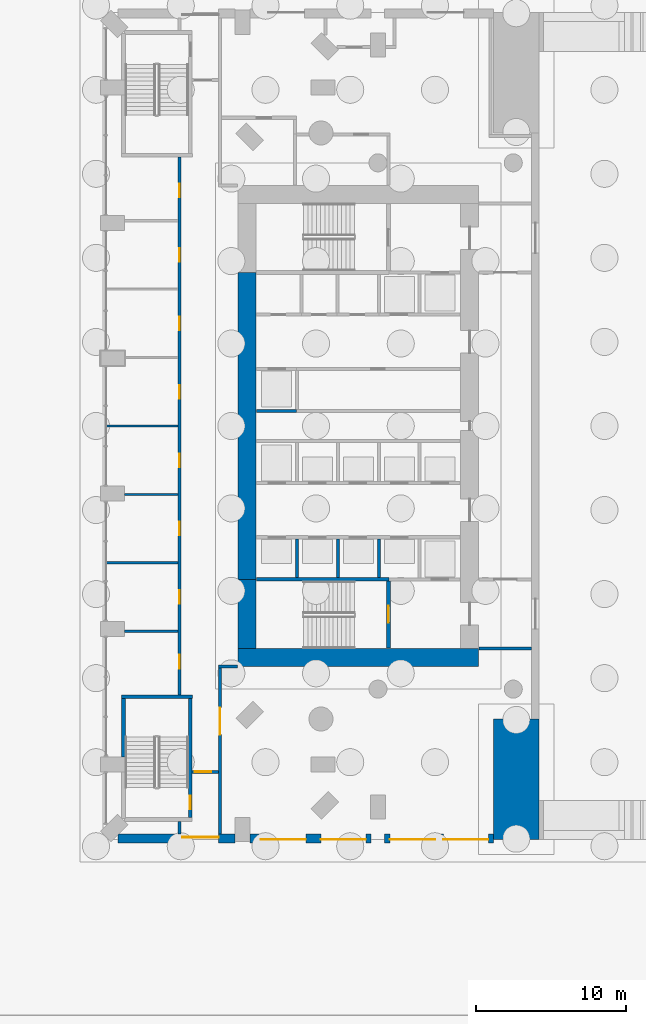
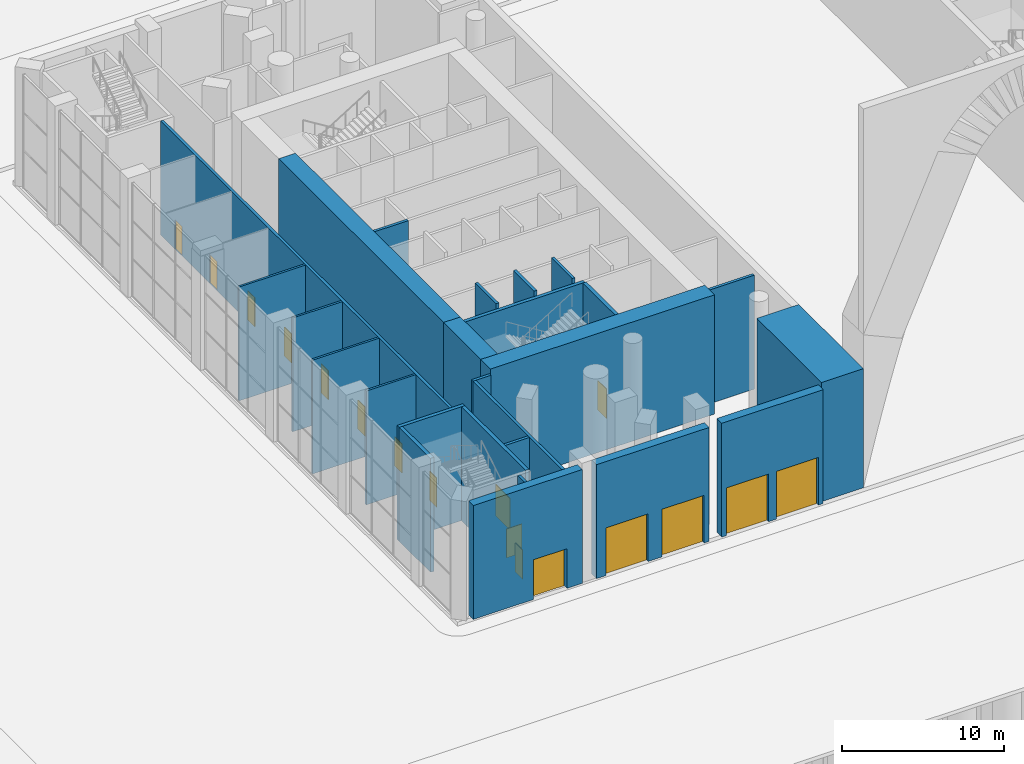
# One storey, part 9 of 25: 26 walls, 17 doors, 17 openings.
"""IFC4 building model written with IfcOpenShell, lengths in metres."""

from ifc_helpers import new_model, si_unit, direction, frame, frame_2d, origin, place, context, subcontext, project, spatial, rectangle, extrude, material, layer, layer_set, type_object, element, fill, save


model = new_model("IFC4")

# Units and contexts
model_context = context("Model", 3, precision=1e-05, world=origin(), true_north=direction((0.0, 1.0)))
body_context = subcontext(model_context, "Body", "Model", "MODEL_VIEW")
ifc_project = project(units=[si_unit("LENGTHUNIT", "METRE"), si_unit("AREAUNIT", "SQUARE_METRE"), si_unit("VOLUMEUNIT", "CUBIC_METRE"), si_unit("PLANEANGLEUNIT", "RADIAN"), si_unit("MASSUNIT", "GRAM", prefix="KILO")], contexts=[model_context])

# Site, building, storey
site_placement = place(None, origin())
site = spatial("IfcSite", under=ifc_project, at=site_placement, CompositionType="ELEMENT")
building_placement = place(site_placement, origin())
building = spatial("IfcBuilding", under=site, at=building_placement, Name="Cypress Arch Tower", CompositionType="ELEMENT")
storey_placement = place(building_placement, origin())
storey = spatial("IfcBuildingStorey", under=building, at=storey_placement, Name="L00", CompositionType="ELEMENT", Elevation=0.0)

# Wall, opening, door
ifc_material_1 = material(Name="Brick (red buff blend) on blockwork backing", Category="masonry")
ifc_layer_1 = layer(ifc_material_1, 0.60009765625)
ifc_layer_set_1 = layer_set([ifc_layer_1], Name="Brick base wall BW600")
wall_type_1 = type_object("IfcWallType", Name="Brick base wall BW600", PredefinedType="ELEMENTEDWALL", material=ifc_layer_set_1)
wall_1_placement = place(storey_placement, frame((-30.199951171875, -27.425048828125, 0.0), z_axis=(0.0, 0.0, 1.0), x_axis=(-1.0, 0.0, 0.0)))
wall_1 = element("IfcWall", 1, at=wall_1_placement, inside=storey, type_object=wall_type_1, Name="Brick wall L00 P00.0", PredefinedType="ELEMENTEDWALL", context=body_context, shape_type="SweptSolid", body=[
    extrude(rectangle(XDim=7.79296875, YDim=0.60009765625, at=frame_2d((3.896484375, 0.0))), origin(), (0.0, 0.0, 1.0), 8.60009765625),
])
opening_1_placement = place(wall_1_placement, frame((1.10009765625, 0.0, 0.0)))
opening_1 = element("IfcOpeningElement", 2, at=opening_1_placement, cuts=wall_1, Name="Opening DE2400", PredefinedType="OPENING", context=body_context, shape_type="SweptSolid", body=[
    extrude(rectangle(XDim=2.39990234375, YDim=3.0, at=frame_2d((1.199951171875, 1.5))), frame((0.0, 0.31005859375, 0.0), z_axis=(0.0, -1.0, 0.0), x_axis=(1.0, 0.0, 0.0)), (0.0, 0.0, 1.0), 0.6201171875),
])
ifc_material_2 = material(Name="Anodised aluminium, bronze finish, clear low-emissivity double glazing", Category="aluminium")
door_type_1 = type_object("IfcDoorType", Name="Entrance door double 2400x3000", OperationType="DOUBLE_DOOR_SINGLE_SWING", PredefinedType="DOOR", material=ifc_material_2)
door_1_placement = place(opening_1_placement, origin())
door_1 = element("IfcDoor", 3, at=door_1_placement, inside=storey, type_object=door_type_1, Name="Exterior door L00 P00.0.1", OperationType="DOUBLE_DOOR_SINGLE_SWING", OverallHeight=3.0, OverallWidth=2.39990234375, PredefinedType="DOOR", context=body_context, shape_type="SweptSolid", body=[
    extrude(rectangle(XDim=2.39990234375, YDim=3.0, at=frame_2d((1.199951171875, 1.5))), frame((0.0, -0.0498046875, 0.0), z_axis=(0.0, -1.0, 0.0), x_axis=(1.0, 0.0, 0.0)), (0.0, 0.0, 1.0), 0.050048828125),
])
fill(opening_1, door_1)

# Wall, openings, doors
wall_2_placement = place(storey_placement, frame((-29.199951171875, -27.425048828125, 0.0), z_axis=(0.0, 0.0, 1.0), x_axis=(1.0, 0.0, 0.0)))
wall_2 = element("IfcWall", 4, at=wall_2_placement, inside=storey, type_object=wall_type_1, Name="Brick wall L00 P00.1", PredefinedType="ELEMENTEDWALL", context=body_context, shape_type="SweptSolid", body=[
    extrude(rectangle(XDim=8.050048828125, YDim=0.60009765625, at=frame_2d((4.02490234375, 0.0))), origin(), (0.0, 0.0, 1.0), 8.60009765625),
])
opening_2_placement = place(wall_2_placement, frame((0.699951171875, 0.0, 0.0)))
opening_2 = element("IfcOpeningElement", 5, at=opening_2_placement, cuts=wall_2, Name="Opening DL3000", PredefinedType="OPENING", context=body_context, shape_type="SweptSolid", body=[
    extrude(rectangle(XDim=3.0, YDim=3.60009765625, at=frame_2d((1.5, 1.800048828125))), frame((0.0, 0.31005859375, 0.0), z_axis=(0.0, -1.0, 0.0), x_axis=(1.0, 0.0, 0.0)), (0.0, 0.0, 1.0), 0.6201171875),
])
opening_3_placement = place(wall_2_placement, frame((4.699951171875, 0.0, 0.0)))
opening_3 = element("IfcOpeningElement", 6, at=opening_3_placement, cuts=wall_2, Name="Opening DL3000", PredefinedType="OPENING", context=body_context, shape_type="SweptSolid", body=[
    extrude(rectangle(XDim=3.0, YDim=3.60009765625, at=frame_2d((1.5, 1.800048828125))), frame((0.0, 0.31005859375, 0.0), z_axis=(0.0, -1.0, 0.0), x_axis=(1.0, 0.0, 0.0)), (0.0, 0.0, 1.0), 0.6201171875),
])
ifc_material_3 = material(Name="Insulated steel sectional door, powder coated", Category="steel")
door_type_2 = type_object("IfcDoorType", Name="Loading dock door sectional 3000x3600", OperationType="ROLLINGUP", PredefinedType="DOOR", material=ifc_material_3)
door_2_placement = place(opening_2_placement, origin())
door_2 = element("IfcDoor", 7, at=door_2_placement, inside=storey, type_object=door_type_2, Name="Exterior door L00 P00.1.1", OperationType="ROLLINGUP", OverallHeight=3.60009765625, OverallWidth=3.0, PredefinedType="DOOR", context=body_context, shape_type="SweptSolid", body=[
    extrude(rectangle(XDim=3.0, YDim=3.60009765625, at=frame_2d((1.5, 1.800048828125))), frame((0.0, -0.0498046875, 0.0), z_axis=(0.0, -1.0, 0.0), x_axis=(1.0, 0.0, 0.0)), (0.0, 0.0, 1.0), 0.050048828125),
])
fill(opening_2, door_2)
door_3_placement = place(opening_3_placement, origin())
door_3 = element("IfcDoor", 8, at=door_3_placement, inside=storey, type_object=door_type_2, Name="Exterior door L00 P00.1.2", OperationType="ROLLINGUP", OverallHeight=3.60009765625, OverallWidth=3.0, PredefinedType="DOOR", context=body_context, shape_type="SweptSolid", body=[
    extrude(rectangle(XDim=3.0, YDim=3.60009765625, at=frame_2d((1.5, 1.800048828125))), frame((0.0, -0.0498046875, 0.0), z_axis=(0.0, -1.0, 0.0), x_axis=(1.0, 0.0, 0.0)), (0.0, 0.0, 1.0), 0.050048828125),
])
fill(opening_3, door_3)

wall_3_placement = place(storey_placement, frame((-20.25, -27.425048828125, 0.0), z_axis=(0.0, 0.0, 1.0), x_axis=(1.0, 0.0, 0.0)))
wall_3 = element("IfcWall", 9, at=wall_3_placement, inside=storey, type_object=wall_type_1, Name="Brick wall L00 P00.2", PredefinedType="ELEMENTEDWALL", context=body_context, shape_type="SweptSolid", body=[
    extrude(rectangle(XDim=7.25, YDim=0.60009765625, at=frame_2d((3.625, 0.0))), origin(), (0.0, 0.0, 1.0), 8.60009765625),
])
opening_4_placement = place(wall_3_placement, frame((0.35009765625, 0.0, 0.0)))
opening_4 = element("IfcOpeningElement", 10, at=opening_4_placement, cuts=wall_3, Name="Opening DL3000", PredefinedType="OPENING", context=body_context, shape_type="SweptSolid", body=[
    extrude(rectangle(XDim=3.0, YDim=3.60009765625, at=frame_2d((1.5, 1.800048828125))), frame((0.0, 0.31005859375, 0.0), z_axis=(0.0, -1.0, 0.0), x_axis=(1.0, 0.0, 0.0)), (0.0, 0.0, 1.0), 0.6201171875),
])
opening_5_placement = place(wall_3_placement, frame((3.89990234375, 0.0, 0.0)))
opening_5 = element("IfcOpeningElement", 11, at=opening_5_placement, cuts=wall_3, Name="Opening DL3000", PredefinedType="OPENING", context=body_context, shape_type="SweptSolid", body=[
    extrude(rectangle(XDim=3.0, YDim=3.60009765625, at=frame_2d((1.5, 1.800048828125))), frame((0.0, 0.31005859375, 0.0), z_axis=(0.0, -1.0, 0.0), x_axis=(1.0, 0.0, 0.0)), (0.0, 0.0, 1.0), 0.6201171875),
])
door_4_placement = place(opening_4_placement, origin())
door_4 = element("IfcDoor", 12, at=door_4_placement, inside=storey, type_object=door_type_2, Name="Exterior door L00 P00.2.1", OperationType="ROLLINGUP", OverallHeight=3.60009765625, OverallWidth=3.0, PredefinedType="DOOR", context=body_context, shape_type="SweptSolid", body=[
    extrude(rectangle(XDim=3.0, YDim=3.60009765625, at=frame_2d((1.5, 1.800048828125))), frame((0.0, -0.0498046875, 0.0), z_axis=(0.0, -1.0, 0.0), x_axis=(1.0, 0.0, 0.0)), (0.0, 0.0, 1.0), 0.050048828125),
])
fill(opening_4, door_4)
door_5_placement = place(opening_5_placement, origin())
door_5 = element("IfcDoor", 13, at=door_5_placement, inside=storey, type_object=door_type_2, Name="Exterior door L00 P00.2.2", OperationType="ROLLINGUP", OverallHeight=3.60009765625, OverallWidth=3.0, PredefinedType="DOOR", context=body_context, shape_type="SweptSolid", body=[
    extrude(rectangle(XDim=3.0, YDim=3.60009765625, at=frame_2d((1.5, 1.800048828125))), frame((0.0, -0.0498046875, 0.0), z_axis=(0.0, -1.0, 0.0), x_axis=(1.0, 0.0, 0.0)), (0.0, 0.0, 1.0), 0.050048828125),
])
fill(opening_5, door_5)

# Walls
ifc_material_4 = material(Name="Concrete C80/95", Category="concrete")
ifc_layer_2 = layer(ifc_material_4, 1.199951171875)
ifc_layer_set_2 = layer_set([ifc_layer_2], Name="Core wall CW1200 C80/95")
wall_type_2 = type_object("IfcWallType", Name="Core wall CW1200 C80/95", PredefinedType="SHEAR", material=ifc_layer_set_2)
wall_4_placement = place(storey_placement, frame((-30.0, -15.39990234375, 0.0), z_axis=(0.0, 0.0, 1.0), x_axis=(1.0, 0.0, 0.0)))
element("IfcWall", 14, at=wall_4_placement, inside=storey, type_object=wall_type_2, Name="Core wall", PredefinedType="SHEAR", context=body_context, shape_type="SweptSolid", body=[
    extrude(rectangle(XDim=16.0, YDim=1.199951171875, at=frame_2d((8.0, 0.0))), origin(), (0.0, 0.0, 1.0), 9.0),
])
wall_5_placement = place(storey_placement, frame((-29.39990234375, -10.199951171875, 0.0), z_axis=(0.0, 0.0, 1.0), x_axis=(0.0, 1.0, 0.0)))
element("IfcWall", 15, at=wall_5_placement, inside=storey, type_object=wall_type_2, Name="Core wall", PredefinedType="SHEAR", context=body_context, shape_type="SweptSolid", body=[
    extrude(rectangle(XDim=20.39990234375, YDim=1.199951171875, at=frame_2d((10.199951171875, 0.0))), origin(), (0.0, 0.0, 1.0), 9.0),
])
wall_6_placement = place(storey_placement, frame((-29.39990234375, -14.800048828125, 0.0), z_axis=(0.0, 0.0, 1.0), x_axis=(0.0, 1.0, 0.0)))
element("IfcWall", 16, at=wall_6_placement, inside=storey, type_object=wall_type_2, Name="Core wall", PredefinedType="SHEAR", context=body_context, shape_type="SweptSolid", body=[
    extrude(rectangle(XDim=4.60009765625, YDim=1.199951171875, at=frame_2d((2.300048828125, 0.0))), origin(), (0.0, 0.0, 1.0), 9.0),
])
ifc_material_5 = material(Name="Concrete blockwork, plastered, rated", Category="masonry")
ifc_layer_3 = layer(ifc_material_5, 0.199951171875)
ifc_layer_set_3 = layer_set([ifc_layer_3], Name="Corridor wall FW200")
wall_type_3 = type_object("IfcWallType", Name="Corridor wall FW200", PredefinedType="PARTITIONING", material=ifc_layer_set_3)
wall_7_placement = place(storey_placement, frame((-33.89990234375, -27.125, 0.0), z_axis=(0.0, 0.0, 1.0), x_axis=(0.0, 1.0, 0.0)))
element("IfcWall", 17, at=wall_7_placement, inside=storey, type_object=wall_type_3, Name="Corridor wall", PredefinedType="PARTITIONING", context=body_context, shape_type="SweptSolid", body=[
    extrude(rectangle(XDim=0.824951171875, YDim=0.199951171875, at=frame_2d((0.41259765625, 0.0))), origin(), (0.0, 0.0, 1.0), 8.597900390625),
])

# Wall, openings, doors
wall_8_placement = place(storey_placement, frame((-33.89990234375, -17.8798828125, 0.0), z_axis=(0.0, 0.0, 1.0), x_axis=(0.0, 1.0, 0.0)))
wall_8 = element("IfcWall", 18, at=wall_8_placement, inside=storey, type_object=wall_type_3, Name="Corridor wall", PredefinedType="PARTITIONING", context=body_context, shape_type="SweptSolid", body=[
    extrude(rectangle(XDim=35.759765625, YDim=0.199951171875, at=frame_2d((17.8798828125, 0.0))), origin(), (0.0, 0.0, 1.0), 8.597900390625),
])
opening_6_placement = place(wall_8_placement, frame((1.75, 0.0, 0.0)))
opening_6 = element("IfcOpeningElement", 19, at=opening_6_placement, cuts=wall_8, Name="Opening D05", PredefinedType="OPENING", context=body_context, shape_type="SweptSolid", body=[
    extrude(rectangle(XDim=0.89990234375, YDim=2.199951171875, at=frame_2d((0.449951171875, 1.10009765625))), frame((0.0, 0.10986328125, 0.0), z_axis=(0.0, -1.0, 0.0), x_axis=(1.0, 0.0, 0.0)), (0.0, 0.0, 1.0), 0.219970703125),
])
opening_7_placement = place(wall_8_placement, frame((6.050048828125, 0.0, 0.0)))
opening_7 = element("IfcOpeningElement", 20, at=opening_7_placement, cuts=wall_8, Name="Opening D05", PredefinedType="OPENING", context=body_context, shape_type="SweptSolid", body=[
    extrude(rectangle(XDim=0.89990234375, YDim=2.199951171875, at=frame_2d((0.449951171875, 1.10009765625))), frame((0.0, 0.10986328125, 0.0), z_axis=(0.0, -1.0, 0.0), x_axis=(1.0, 0.0, 0.0)), (0.0, 0.0, 1.0), 0.219970703125),
])
opening_8_placement = place(wall_8_placement, frame((10.60009765625, 0.0, 0.0)))
opening_8 = element("IfcOpeningElement", 21, at=opening_8_placement, cuts=wall_8, Name="Opening D05", PredefinedType="OPENING", context=body_context, shape_type="SweptSolid", body=[
    extrude(rectangle(XDim=0.89990234375, YDim=2.199951171875, at=frame_2d((0.449951171875, 1.10009765625))), frame((0.0, 0.10986328125, 0.0), z_axis=(0.0, -1.0, 0.0), x_axis=(1.0, 0.0, 0.0)), (0.0, 0.0, 1.0), 0.219970703125),
])
opening_9_placement = place(wall_8_placement, frame((15.14990234375, 0.0, 0.0)))
opening_9 = element("IfcOpeningElement", 22, at=opening_9_placement, cuts=wall_8, Name="Opening D05", PredefinedType="OPENING", context=body_context, shape_type="SweptSolid", body=[
    extrude(rectangle(XDim=0.89990234375, YDim=2.199951171875, at=frame_2d((0.449951171875, 1.10009765625))), frame((0.0, 0.10986328125, 0.0), z_axis=(0.0, -1.0, 0.0), x_axis=(1.0, 0.0, 0.0)), (0.0, 0.0, 1.0), 0.219970703125),
])
opening_10_placement = place(wall_8_placement, frame((19.699951171875, 0.0, 0.0)))
opening_10 = element("IfcOpeningElement", 23, at=opening_10_placement, cuts=wall_8, Name="Opening D05", PredefinedType="OPENING", context=body_context, shape_type="SweptSolid", body=[
    extrude(rectangle(XDim=0.89990234375, YDim=2.199951171875, at=frame_2d((0.449951171875, 1.10009765625))), frame((0.0, 0.10986328125, 0.0), z_axis=(0.0, -1.0, 0.0), x_axis=(1.0, 0.0, 0.0)), (0.0, 0.0, 1.0), 0.219970703125),
])
opening_11_placement = place(wall_8_placement, frame((24.25, 0.0, 0.0)))
opening_11 = element("IfcOpeningElement", 24, at=opening_11_placement, cuts=wall_8, Name="Opening D05", PredefinedType="OPENING", context=body_context, shape_type="SweptSolid", body=[
    extrude(rectangle(XDim=0.89990234375, YDim=2.199951171875, at=frame_2d((0.449951171875, 1.10009765625))), frame((0.0, 0.10986328125, 0.0), z_axis=(0.0, -1.0, 0.0), x_axis=(1.0, 0.0, 0.0)), (0.0, 0.0, 1.0), 0.219970703125),
])
opening_12_placement = place(wall_8_placement, frame((28.800048828125, 0.0, 0.0)))
opening_12 = element("IfcOpeningElement", 25, at=opening_12_placement, cuts=wall_8, Name="Opening D05", PredefinedType="OPENING", context=body_context, shape_type="SweptSolid", body=[
    extrude(rectangle(XDim=0.89990234375, YDim=2.199951171875, at=frame_2d((0.449951171875, 1.10009765625))), frame((0.0, 0.10986328125, 0.0), z_axis=(0.0, -1.0, 0.0), x_axis=(1.0, 0.0, 0.0)), (0.0, 0.0, 1.0), 0.219970703125),
])
opening_13_placement = place(wall_8_placement, frame((33.10009765625, 0.0, 0.0)))
opening_13 = element("IfcOpeningElement", 26, at=opening_13_placement, cuts=wall_8, Name="Opening D05", PredefinedType="OPENING", context=body_context, shape_type="SweptSolid", body=[
    extrude(rectangle(XDim=0.89990234375, YDim=2.199951171875, at=frame_2d((0.449951171875, 1.10009765625))), frame((0.0, 0.10986328125, 0.0), z_axis=(0.0, -1.0, 0.0), x_axis=(1.0, 0.0, 0.0)), (0.0, 0.0, 1.0), 0.219970703125),
])
ifc_material_6 = material(Name="Timber flush door", Category="wood")
door_type_3 = type_object("IfcDoorType", Name="Service door D05 900x2200", OperationType="SINGLE_SWING_LEFT", PredefinedType="DOOR", material=ifc_material_6)
door_6_placement = place(opening_6_placement, origin())
door_6 = element("IfcDoor", 27, at=door_6_placement, inside=storey, type_object=door_type_3, Name="Service door", OperationType="SINGLE_SWING_RIGHT", OverallHeight=2.199951171875, OverallWidth=0.89990234375, PredefinedType="DOOR", context=body_context, shape_type="SweptSolid", body=[
    extrude(rectangle(XDim=0.89990234375, YDim=2.199951171875, at=frame_2d((0.449951171875, 1.10009765625))), frame((0.0, 0.02490234375, 0.0), z_axis=(0.0, -1.0, 0.0), x_axis=(1.0, 0.0, 0.0)), (0.0, 0.0, 1.0), 0.050048828125),
])
fill(opening_6, door_6)
door_7_placement = place(opening_7_placement, origin())
door_7 = element("IfcDoor", 28, at=door_7_placement, inside=storey, type_object=door_type_3, Name="Service door", OperationType="SINGLE_SWING_LEFT", OverallHeight=2.199951171875, OverallWidth=0.89990234375, PredefinedType="DOOR", context=body_context, shape_type="SweptSolid", body=[
    extrude(rectangle(XDim=0.89990234375, YDim=2.199951171875, at=frame_2d((0.449951171875, 1.10009765625))), frame((0.0, 0.02490234375, 0.0), z_axis=(0.0, -1.0, 0.0), x_axis=(1.0, 0.0, 0.0)), (0.0, 0.0, 1.0), 0.050048828125),
])
fill(opening_7, door_7)
door_8_placement = place(opening_8_placement, origin())
door_8 = element("IfcDoor", 29, at=door_8_placement, inside=storey, type_object=door_type_3, Name="Service door", OperationType="SINGLE_SWING_LEFT", OverallHeight=2.199951171875, OverallWidth=0.89990234375, PredefinedType="DOOR", context=body_context, shape_type="SweptSolid", body=[
    extrude(rectangle(XDim=0.89990234375, YDim=2.199951171875, at=frame_2d((0.449951171875, 1.10009765625))), frame((0.0, 0.02490234375, 0.0), z_axis=(0.0, -1.0, 0.0), x_axis=(1.0, 0.0, 0.0)), (0.0, 0.0, 1.0), 0.050048828125),
])
fill(opening_8, door_8)
door_9_placement = place(opening_9_placement, origin())
door_9 = element("IfcDoor", 30, at=door_9_placement, inside=storey, type_object=door_type_3, Name="Service door", OperationType="SINGLE_SWING_LEFT", OverallHeight=2.199951171875, OverallWidth=0.89990234375, PredefinedType="DOOR", context=body_context, shape_type="SweptSolid", body=[
    extrude(rectangle(XDim=0.89990234375, YDim=2.199951171875, at=frame_2d((0.449951171875, 1.10009765625))), frame((0.0, 0.02490234375, 0.0), z_axis=(0.0, -1.0, 0.0), x_axis=(1.0, 0.0, 0.0)), (0.0, 0.0, 1.0), 0.050048828125),
])
fill(opening_9, door_9)
door_10_placement = place(opening_10_placement, origin())
door_10 = element("IfcDoor", 31, at=door_10_placement, inside=storey, type_object=door_type_3, Name="Service door", OperationType="SINGLE_SWING_LEFT", OverallHeight=2.199951171875, OverallWidth=0.89990234375, PredefinedType="DOOR", context=body_context, shape_type="SweptSolid", body=[
    extrude(rectangle(XDim=0.89990234375, YDim=2.199951171875, at=frame_2d((0.449951171875, 1.10009765625))), frame((0.0, 0.02490234375, 0.0), z_axis=(0.0, -1.0, 0.0), x_axis=(1.0, 0.0, 0.0)), (0.0, 0.0, 1.0), 0.050048828125),
])
fill(opening_10, door_10)
door_11_placement = place(opening_11_placement, origin())
door_11 = element("IfcDoor", 32, at=door_11_placement, inside=storey, type_object=door_type_3, Name="Service door", OperationType="SINGLE_SWING_LEFT", OverallHeight=2.199951171875, OverallWidth=0.89990234375, PredefinedType="DOOR", context=body_context, shape_type="SweptSolid", body=[
    extrude(rectangle(XDim=0.89990234375, YDim=2.199951171875, at=frame_2d((0.449951171875, 1.10009765625))), frame((0.0, 0.02490234375, 0.0), z_axis=(0.0, -1.0, 0.0), x_axis=(1.0, 0.0, 0.0)), (0.0, 0.0, 1.0), 0.050048828125),
])
fill(opening_11, door_11)
door_12_placement = place(opening_12_placement, origin())
door_12 = element("IfcDoor", 33, at=door_12_placement, inside=storey, type_object=door_type_3, Name="Service door", OperationType="SINGLE_SWING_RIGHT", OverallHeight=2.199951171875, OverallWidth=0.89990234375, PredefinedType="DOOR", context=body_context, shape_type="SweptSolid", body=[
    extrude(rectangle(XDim=0.89990234375, YDim=2.199951171875, at=frame_2d((0.449951171875, 1.10009765625))), frame((0.0, 0.02490234375, 0.0), z_axis=(0.0, -1.0, 0.0), x_axis=(1.0, 0.0, 0.0)), (0.0, 0.0, 1.0), 0.050048828125),
])
fill(opening_12, door_12)
door_13_placement = place(opening_13_placement, origin())
door_13 = element("IfcDoor", 34, at=door_13_placement, inside=storey, type_object=door_type_3, Name="Service door", OperationType="SINGLE_SWING_LEFT", OverallHeight=2.199951171875, OverallWidth=0.89990234375, PredefinedType="DOOR", context=body_context, shape_type="SweptSolid", body=[
    extrude(rectangle(XDim=0.89990234375, YDim=2.199951171875, at=frame_2d((0.449951171875, 1.10009765625))), frame((0.0, 0.02490234375, 0.0), z_axis=(0.0, -1.0, 0.0), x_axis=(1.0, 0.0, 0.0)), (0.0, 0.0, 1.0), 0.050048828125),
])
fill(opening_13, door_13)

# Wall, opening, door
wall_9_placement = place(storey_placement, frame((-33.050048828125, -23.0, 0.0), z_axis=(0.0, 0.0, 1.0), x_axis=(1.0, 0.0, 0.0)))
wall_9 = element("IfcWall", 35, at=wall_9_placement, inside=storey, type_object=wall_type_3, Name="Corridor wall", PredefinedType="PARTITIONING", context=body_context, shape_type="SweptSolid", body=[
    extrude(rectangle(XDim=1.75, YDim=0.199951171875, at=frame_2d((0.875, 0.0))), origin(), (0.0, 0.0, 1.0), 8.597900390625),
])
opening_14_placement = place(wall_9_placement, frame((0.14990234375, 0.0, 0.0)))
opening_14 = element("IfcOpeningElement", 36, at=opening_14_placement, cuts=wall_9, Name="Opening D06", PredefinedType="OPENING", context=body_context, shape_type="SweptSolid", body=[
    extrude(rectangle(XDim=1.10009765625, YDim=2.199951171875, at=frame_2d((0.550048828125, 1.10009765625))), frame((0.0, 0.10986328125, 0.0), z_axis=(0.0, -1.0, 0.0), x_axis=(1.0, 0.0, 0.0)), (0.0, 0.0, 1.0), 0.219970703125),
])
ifc_material_7 = material(Name="Steel door, fire resisting, panic bar", Category="steel")
door_type_4 = type_object("IfcDoorType", Name="Stair door D06 1100x2200", OperationType="SINGLE_SWING_LEFT", PredefinedType="DOOR", material=ifc_material_7)
door_14_placement = place(opening_14_placement, origin())
door_14 = element("IfcDoor", 37, at=door_14_placement, inside=storey, type_object=door_type_4, Name="Stair door", OperationType="SINGLE_SWING_LEFT", OverallHeight=2.199951171875, OverallWidth=1.10009765625, PredefinedType="DOOR", context=body_context, shape_type="SweptSolid", body=[
    extrude(rectangle(XDim=1.10009765625, YDim=2.199951171875, at=frame_2d((0.550048828125, 1.10009765625))), frame((0.0, 0.02490234375, 0.0), z_axis=(0.0, -1.0, 0.0), x_axis=(1.0, 0.0, 0.0)), (0.0, 0.0, 1.0), 0.050048828125),
])
fill(opening_14, door_14)

wall_10_placement = place(storey_placement, frame((-31.199951171875, -27.125, 0.0), z_axis=(0.0, 0.0, 1.0), x_axis=(0.0, 1.0, 0.0)))
wall_10 = element("IfcWall", 38, at=wall_10_placement, inside=storey, type_object=wall_type_3, Name="Corridor wall", PredefinedType="PARTITIONING", context=body_context, shape_type="SweptSolid", body=[
    extrude(rectangle(XDim=11.02490234375, YDim=0.199951171875, at=frame_2d((5.512451171875, 0.0))), origin(), (0.0, 0.0, 1.0), 8.597900390625),
])
opening_15_placement = place(wall_10_placement, frame((6.60009765625, 0.0, 0.0)))
opening_15 = element("IfcOpeningElement", 39, at=opening_15_placement, cuts=wall_10, Name="Opening D09", PredefinedType="OPENING", context=body_context, shape_type="SweptSolid", body=[
    extrude(rectangle(XDim=1.800048828125, YDim=2.39990234375, at=frame_2d((0.89990234375, 1.199951171875))), frame((0.0, 0.10986328125, 0.0), z_axis=(0.0, -1.0, 0.0), x_axis=(1.0, 0.0, 0.0)), (0.0, 0.0, 1.0), 0.219970703125),
])
ifc_material_8 = material(Name="Steel door, fire resisting", Category="steel")
door_type_5 = type_object("IfcDoorType", Name="Plant room door D09 1800x2400", OperationType="DOUBLE_DOOR_SINGLE_SWING", PredefinedType="DOOR", material=ifc_material_8)
door_15_placement = place(opening_15_placement, origin())
door_15 = element("IfcDoor", 40, at=door_15_placement, inside=storey, type_object=door_type_5, Name="Plant room door", OperationType="DOUBLE_DOOR_SINGLE_SWING", OverallHeight=2.39990234375, OverallWidth=1.800048828125, PredefinedType="DOOR", context=body_context, shape_type="SweptSolid", body=[
    extrude(rectangle(XDim=1.800048828125, YDim=2.39990234375, at=frame_2d((0.89990234375, 1.199951171875))), frame((0.0, 0.02490234375, 0.0), z_axis=(0.0, -1.0, 0.0), x_axis=(1.0, 0.0, 0.0)), (0.0, 0.0, 1.0), 0.050048828125),
])
fill(opening_15, door_15)

# Walls
wall_11_placement = place(storey_placement, frame((-31.300048828125, -16.0, 0.0), z_axis=(0.0, 0.0, 1.0), x_axis=(1.0, 0.0, 0.0)))
element("IfcWall", 41, at=wall_11_placement, inside=storey, type_object=wall_type_3, Name="Corridor wall", PredefinedType="PARTITIONING", context=body_context, shape_type="SweptSolid", body=[
    extrude(rectangle(XDim=1.27001953125, YDim=0.199951171875, at=frame_2d((0.635009765625, 0.0))), origin(), (0.0, 0.0, 1.0), 8.597900390625),
])
wall_12_placement = place(storey_placement, frame((-13.969970703125, -14.800048828125, 0.0), z_axis=(0.0, 0.0, 1.0), x_axis=(1.0, 0.0, 0.0)))
element("IfcWall", 42, at=wall_12_placement, inside=storey, type_object=wall_type_3, Name="Corridor wall", PredefinedType="PARTITIONING", context=body_context, shape_type="SweptSolid", body=[
    extrude(rectangle(XDim=3.469970703125, YDim=0.199951171875, at=frame_2d((1.73486328125, 0.0))), origin(), (0.0, 0.0, 1.0), 8.597900390625),
])
ifc_material_9 = material(Name="Blockwork, plastered both sides", Category="masonry")
ifc_layer_4 = layer(ifc_material_9, 0.14990234375)
ifc_layer_set_4 = layer_set([ifc_layer_4], Name="Partition PW150")
wall_type_4 = type_object("IfcWallType", Name="Partition PW150", PredefinedType="PARTITIONING", material=ifc_layer_set_4)
wall_13_placement = place(storey_placement, frame((-37.550048828125, -13.64990234375, 0.0), z_axis=(0.0, 0.0, 1.0), x_axis=(1.0, 0.0, 0.0)))
element("IfcWall", 43, at=wall_13_placement, inside=storey, type_object=wall_type_4, Name="Partition", PredefinedType="PARTITIONING", context=body_context, shape_type="SweptSolid", body=[
    extrude(rectangle(XDim=3.550048828125, YDim=0.14990234375, at=frame_2d((1.77490234375, 0.0))), origin(), (0.0, 0.0, 1.0), 8.597900390625),
])
wall_14_placement = place(storey_placement, frame((-38.7548828125, -9.10009765625, 0.0), z_axis=(0.0, 0.0, 1.0), x_axis=(1.0, 0.0, 0.0)))
element("IfcWall", 44, at=wall_14_placement, inside=storey, type_object=wall_type_4, Name="Partition", PredefinedType="PARTITIONING", context=body_context, shape_type="SweptSolid", body=[
    extrude(rectangle(XDim=4.7548828125, YDim=0.14990234375, at=frame_2d((2.37744140625, 0.0))), origin(), (0.0, 0.0, 1.0), 8.597900390625),
])
wall_15_placement = place(storey_placement, frame((-37.550048828125, -4.550048828125, 0.0), z_axis=(0.0, 0.0, 1.0), x_axis=(1.0, 0.0, 0.0)))
element("IfcWall", 45, at=wall_15_placement, inside=storey, type_object=wall_type_4, Name="Partition", PredefinedType="PARTITIONING", context=body_context, shape_type="SweptSolid", body=[
    extrude(rectangle(XDim=3.550048828125, YDim=0.14990234375, at=frame_2d((1.77490234375, 0.0))), origin(), (0.0, 0.0, 1.0), 8.597900390625),
])
wall_16_placement = place(storey_placement, frame((-38.7548828125, 0.0, 0.0), z_axis=(0.0, 0.0, 1.0), x_axis=(1.0, 0.0, 0.0)))
element("IfcWall", 46, at=wall_16_placement, inside=storey, type_object=wall_type_4, Name="Partition", PredefinedType="PARTITIONING", context=body_context, shape_type="SweptSolid", body=[
    extrude(rectangle(XDim=4.7548828125, YDim=0.14990234375, at=frame_2d((2.37744140625, 0.0))), origin(), (0.0, 0.0, 1.0), 8.597900390625),
])
ifc_material_10 = material(Name="Concrete C80/95", Category="concrete")
ifc_layer_5 = layer(ifc_material_10, 3.0)
ifc_layer_set_5 = layer_set([ifc_layer_5], Name="Pier wall 3000 Concrete C80/95")
wall_type_5 = type_object("IfcWallType", Name="Pier wall 3000 Concrete C80/95", PredefinedType="SOLIDWALL", material=ifc_layer_set_5)
wall_17_placement = place(storey_placement, frame((-11.5, -27.5, 0.0), z_axis=(0.0, 0.0, 1.0), x_axis=(0.0, 1.0, 0.0)))
element("IfcWall", 47, at=wall_17_placement, inside=storey, type_object=wall_type_5, Name="Gate pier wall PW-WS L00", PredefinedType="SOLIDWALL", context=body_context, shape_type="SweptSolid", body=[
    extrude(rectangle(XDim=8.0, YDim=3.0, at=frame_2d((4.0, 0.0))), origin(), (0.0, 0.0, 1.0), 9.0),
])
ifc_material_11 = material(Name="Concrete C50/60", Category="concrete")
ifc_layer_6 = layer(ifc_material_11, 0.199951171875)
ifc_layer_set_6 = layer_set([ifc_layer_6], Name="Shaft wall SH200")
wall_type_6 = type_object("IfcWallType", Name="Shaft wall SH200", PredefinedType="SHEAR", material=ifc_layer_set_6)
wall_18_placement = place(storey_placement, frame((-28.77001953125, 1.0, 0.0), z_axis=(0.0, 0.0, 1.0), x_axis=(1.0, 0.0, 0.0)))
element("IfcWall", 48, at=wall_18_placement, inside=storey, type_object=wall_type_6, Name="Shaft wall", PredefinedType="SHEAR", context=body_context, shape_type="SweptSolid", body=[
    extrude(rectangle(XDim=2.669921875, YDim=0.199951171875, at=frame_2d((1.3349609375, 0.0))), origin(), (0.0, 0.0, 1.0), 8.597900390625),
])
for number, where, z_axis, x_axis, name in (
    (49, (-26.080078125, -10.074951171875, 0.0), (0.0, 0.0, 1.0), (0.0, 1.0, 0.0), "Shaft wall"),
    (50, (-23.360107421875, -10.074951171875, 0.0), (0.0, 0.0, 1.0), (0.0, 1.0, 0.0), "Shaft wall"),
    (51, (-20.639892578125, -10.074951171875, 0.0), (0.0, 0.0, 1.0), (0.0, 1.0, 0.0), "Shaft wall"),
):
    element("IfcWall", number, at=place(storey_placement, frame(where, z_axis=z_axis, x_axis=x_axis)), inside=storey, type_object=wall_type_6, Name=name, PredefinedType="SHEAR", context=body_context, shape_type="SweptSolid", body=[
        extrude(rectangle(XDim=2.574951171875, YDim=0.199951171875, at=frame_2d((1.28759765625, 0.0))), origin(), (0.0, 0.0, 1.0), 9.0),
    ])
ifc_material_12 = material(Name="Concrete C50/60", Category="concrete")
ifc_layer_7 = layer(ifc_material_12, 0.25)
ifc_layer_set_7 = layer_set([ifc_layer_7], Name="Stair enclosure wall SW250")
wall_type_7 = type_object("IfcWallType", Name="Stair enclosure wall SW250", PredefinedType="SHEAR", material=ifc_layer_set_7)
wall_19_placement = place(storey_placement, frame((-37.625, -22.0, 0.0), z_axis=(0.0, 0.0, 1.0), x_axis=(0.0, 1.0, 0.0)))
element("IfcWall", 52, at=wall_19_placement, inside=storey, type_object=wall_type_7, Name="Stair enclosure wall", PredefinedType="SHEAR", context=body_context, shape_type="SweptSolid", body=[
    extrude(rectangle(XDim=3.8701171875, YDim=0.25, at=frame_2d((1.93505859375, 0.0))), origin(), (0.0, 0.0, 1.0), 8.60009765625),
])
wall_20_placement = place(storey_placement, frame((-37.75, -18.0048828125, 0.0), z_axis=(0.0, 0.0, 1.0), x_axis=(1.0, 0.0, 0.0)))
element("IfcWall", 53, at=wall_20_placement, inside=storey, type_object=wall_type_7, Name="Stair enclosure wall", PredefinedType="SHEAR", context=body_context, shape_type="SweptSolid", body=[
    extrude(rectangle(XDim=4.699951171875, YDim=0.25, at=frame_2d((2.35009765625, 0.0))), origin(), (0.0, 0.0, 1.0), 8.60009765625),
])

# Wall, opening, door
wall_21_placement = place(storey_placement, frame((-33.175048828125, -26.050048828125, 0.0), z_axis=(0.0, 0.0, 1.0), x_axis=(0.0, 1.0, 0.0)))
wall_21 = element("IfcWall", 54, at=wall_21_placement, inside=storey, type_object=wall_type_7, Name="Stair enclosure wall", PredefinedType="SHEAR", context=body_context, shape_type="SweptSolid", body=[
    extrude(rectangle(XDim=7.920166015625, YDim=0.25, at=frame_2d((3.9599609375, 0.0))), origin(), (0.0, 0.0, 1.0), 8.60009765625),
])
opening_16_placement = place(wall_21_placement, frame((0.550048828125, 0.0, 0.0)))
opening_16 = element("IfcOpeningElement", 55, at=opening_16_placement, cuts=wall_21, Name="Opening D15", PredefinedType="OPENING", context=body_context, shape_type="SweptSolid", body=[
    extrude(rectangle(XDim=0.89990234375, YDim=2.199951171875, at=frame_2d((0.449951171875, 1.10009765625))), frame((0.0, 0.135009765625, 0.0), z_axis=(0.0, -1.0, 0.0), x_axis=(1.0, 0.0, 0.0)), (0.0, 0.0, 1.0), 0.27001953125),
])
ifc_material_13 = material(Name="Steel door, fire resisting, panic bar", Category="steel")
door_type_6 = type_object("IfcDoorType", Name="Stair door D15 900x2200", OperationType="SINGLE_SWING_LEFT", PredefinedType="DOOR", material=ifc_material_13)
door_16_placement = place(opening_16_placement, origin())
door_16 = element("IfcDoor", 56, at=door_16_placement, inside=storey, type_object=door_type_6, Name="Stair door", OperationType="SINGLE_SWING_LEFT", OverallHeight=2.199951171875, OverallWidth=0.89990234375, PredefinedType="DOOR", context=body_context, shape_type="SweptSolid", body=[
    extrude(rectangle(XDim=0.89990234375, YDim=2.199951171875, at=frame_2d((0.449951171875, 1.10009765625))), frame((0.0, 0.02490234375, 0.0), z_axis=(0.0, -1.0, 0.0), x_axis=(1.0, 0.0, 0.0)), (0.0, 0.0, 1.0), 0.050048828125),
])
fill(opening_16, door_16)

# Wall
wall_22_placement = place(storey_placement, frame((-28.77001953125, -10.199951171875, 0.0), z_axis=(0.0, 0.0, 1.0), x_axis=(1.0, 0.0, 0.0)))
element("IfcWall", 57, at=wall_22_placement, inside=storey, type_object=wall_type_7, Name="Stair enclosure wall", PredefinedType="SHEAR", context=body_context, shape_type="SweptSolid", body=[
    extrude(rectangle(XDim=8.7900390625, YDim=0.25, at=frame_2d((4.39501953125, 0.0))), origin(), (0.0, 0.0, 1.0), 8.597900390625),
])

# Wall, opening, door
wall_23_placement = place(storey_placement, frame((-20.0, -14.77001953125, 0.0), z_axis=(0.0, 0.0, 1.0), x_axis=(0.0, 1.0, 0.0)))
wall_23 = element("IfcWall", 58, at=wall_23_placement, inside=storey, type_object=wall_type_7, Name="Stair enclosure wall", PredefinedType="SHEAR", context=body_context, shape_type="SweptSolid", body=[
    extrude(rectangle(XDim=4.445068359375, YDim=0.25, at=frame_2d((2.22265625, 0.0))), origin(), (0.0, 0.0, 1.0), 8.597900390625),
])
opening_17_placement = place(wall_23_placement, frame((1.699951171875, 0.0, 0.0)))
opening_17 = element("IfcOpeningElement", 59, at=opening_17_placement, cuts=wall_23, Name="Opening D06", PredefinedType="OPENING", context=body_context, shape_type="SweptSolid", body=[
    extrude(rectangle(XDim=1.10009765625, YDim=2.199951171875, at=frame_2d((0.550048828125, 1.10009765625))), frame((0.0, 0.135009765625, 0.0), z_axis=(0.0, -1.0, 0.0), x_axis=(1.0, 0.0, 0.0)), (0.0, 0.0, 1.0), 0.27001953125),
])
door_17_placement = place(opening_17_placement, origin())
door_17 = element("IfcDoor", 60, at=door_17_placement, inside=storey, type_object=door_type_4, Name="Stair door", OperationType="SINGLE_SWING_LEFT", OverallHeight=2.199951171875, OverallWidth=1.10009765625, PredefinedType="DOOR", context=body_context, shape_type="SweptSolid", body=[
    extrude(rectangle(XDim=1.10009765625, YDim=2.199951171875, at=frame_2d((0.550048828125, 1.10009765625))), frame((0.0, 0.02490234375, 0.0), z_axis=(0.0, -1.0, 0.0), x_axis=(1.0, 0.0, 0.0)), (0.0, 0.0, 1.0), 0.050048828125),
])
fill(opening_17, door_17)

save(model, "model.ifc")
